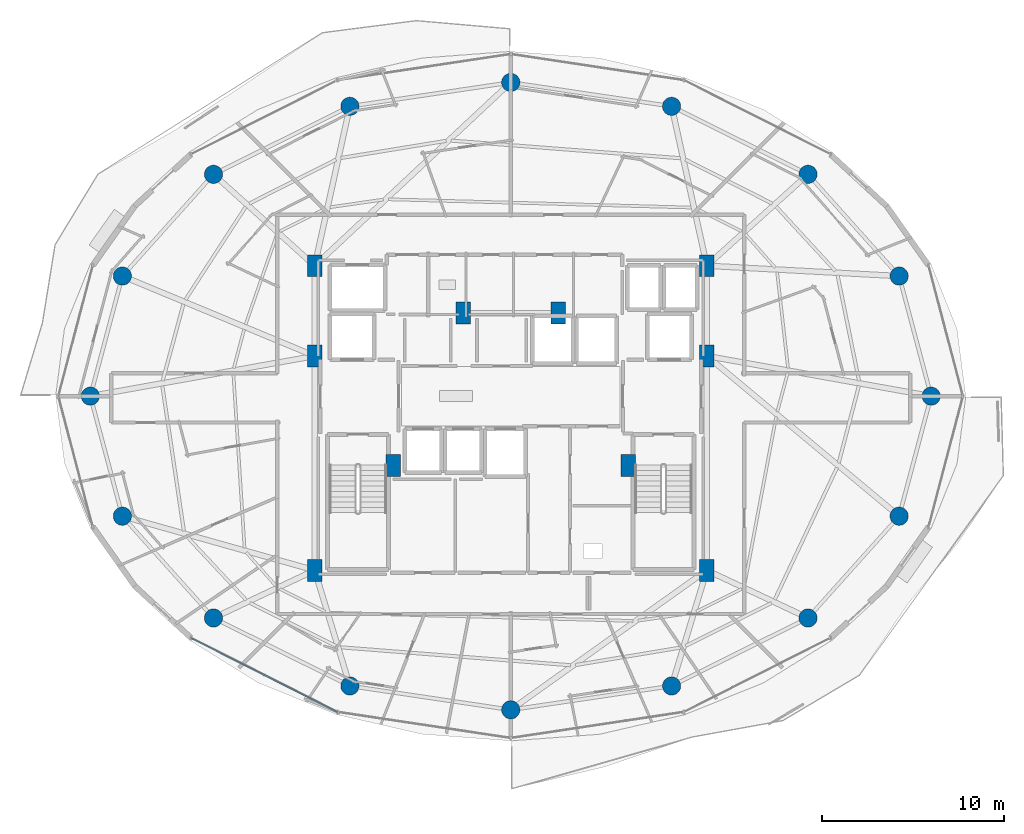
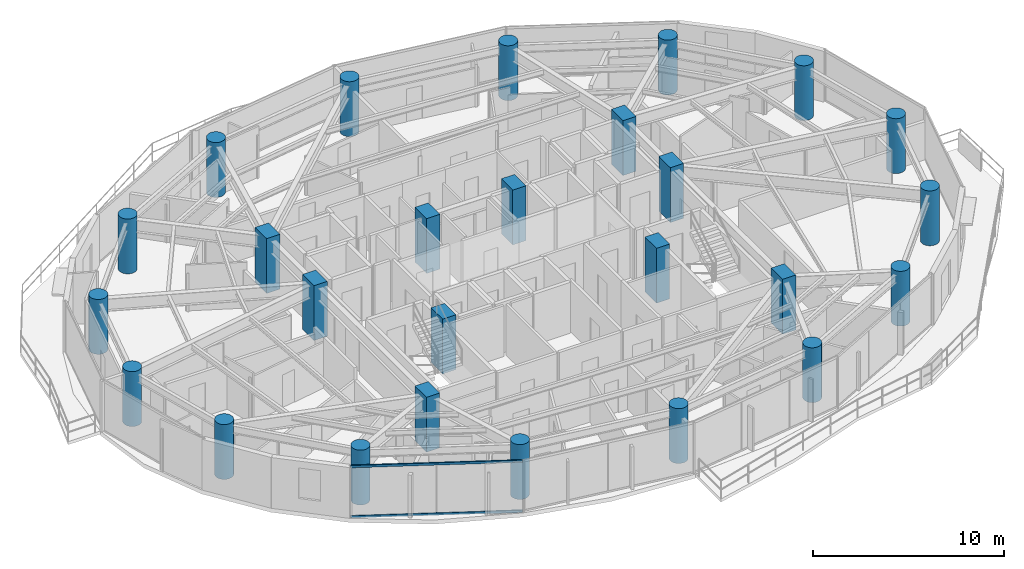
# One storey, part 1 of 31: 26 columns, 2 members, 1 element without a shape of its own.
"""IFC4 building model written with IfcOpenShell, lengths in metres."""

from ifc_helpers import new_model, si_unit, direction, frame, origin, origin_2d, place, context, subcontext, project, spatial, rectangle, hollow_rectangle, circle, extrude, material, material_profile, profile_set, type_object, element, aggregate, save


model = new_model("IFC4")

# Units and contexts
model_context = context("Model", 3, precision=1e-05, world=origin(), true_north=direction((0.0, 1.0)))
body_context = subcontext(model_context, "Body", "Model", "MODEL_VIEW")
ifc_project = project(units=[si_unit("LENGTHUNIT", "METRE"), si_unit("AREAUNIT", "SQUARE_METRE"), si_unit("VOLUMEUNIT", "CUBIC_METRE"), si_unit("PLANEANGLEUNIT", "RADIAN"), si_unit("MASSUNIT", "GRAM", prefix="KILO")], contexts=[model_context])

# Site, building, storey
site_placement = place(None, origin())
site = spatial("IfcSite", under=ifc_project, at=site_placement, CompositionType="ELEMENT")
building_placement = place(site_placement, origin())
building = spatial("IfcBuilding", under=site, at=building_placement, Name="Vorneva Point Tower", CompositionType="ELEMENT")
storey_placement = place(building_placement, frame((0.0, 0.0, 129.10009765625)))
storey = spatial("IfcBuildingStorey", under=building, at=storey_placement, Name="L34", CompositionType="ELEMENT", Elevation=129.10009765625)

# Columns
ifc_material_1 = material(Name="Concrete B60 (C50/60)", Category="concrete")
ifc_material_profile_1 = material_profile(ifc_material_1, circle(Radius=0.5, at=origin_2d()), Name="RC-CIRC 1000")
ifc_profile_set_1 = profile_set([ifc_material_profile_1], Name="Concrete B60 (C50/60)")
column_type_1 = type_object("IfcColumnType", Name="COL-RC1000C", PredefinedType="COLUMN", material=ifc_profile_set_1)
for number, where, z_axis, x_axis, name in (
    (1, (61.050048828125, 26.0, 0.0), (0.0, 0.0, 1.0), (1.0, 0.0, 0.0), "L34 Perimeter Column P01"),
    (2, (59.29541015625, 32.582275390625, 0.0), (0.0, 0.0, 1.0), (0.923879532511, 0.382683432365, 0.0), "L34 Perimeter Column P02"),
    (3, (54.298828125, 38.162109375, 0.0), (0.0, 0.0, 1.0), (0.707106781187, 0.707106781187, 0.0), "L34 Perimeter Column P03"),
    (4, (46.82080078125, 41.890625, 0.0), (0.0, 0.0, 1.0), (0.382683432365, 0.923879532511, 0.0), "L34 Perimeter Column P04"),
    (5, (38.0, 43.199951171875, 0.0), (0.0, 0.0, 1.0), (0.0, 1.0, 0.0), "L34 Perimeter Column P05"),
    (6, (29.17919921875, 41.890625, 0.0), (0.0, 0.0, 1.0), (-0.382683432365, 0.923879532511, 0.0), "L34 Perimeter Column P06"),
    (7, (21.701171875, 38.162109375, 0.0), (0.0, 0.0, 1.0), (-0.707106781187, 0.707106781187, 0.0), "L34 Perimeter Column P07"),
    (8, (16.70458984375, 32.582275390625, 0.0), (0.0, 0.0, 1.0), (-0.923879532511, 0.382683432365, 0.0), "L34 Perimeter Column P08"),
    (9, (14.949951171875, 26.0, 0.0), (0.0, 0.0, 1.0), (-1.0, 0.0, 0.0), "L34 Perimeter Column P09"),
    (10, (16.70458984375, 19.417724609375, 0.0), (0.0, 0.0, 1.0), (-0.923879532511, -0.382683432365, 0.0), "L34 Perimeter Column P10"),
    (11, (21.701171875, 13.837890625, 0.0), (0.0, 0.0, 1.0), (-0.707106781187, -0.707106781187, 0.0), "L34 Perimeter Column P11"),
    (12, (29.17919921875, 10.109375, 0.0), (0.0, 0.0, 1.0), (-0.382683432365, -0.923879532511, 0.0), "L34 Perimeter Column P12"),
    (13, (38.0, 8.800048828125, 0.0), (0.0, 0.0, 1.0), (0.0, -1.0, 0.0), "L34 Perimeter Column P13"),
    (14, (46.82080078125, 10.109375, 0.0), (0.0, 0.0, 1.0), (0.382683432365, -0.923879532511, 0.0), "L34 Perimeter Column P14"),
    (15, (54.298828125, 13.837890625, 0.0), (0.0, 0.0, 1.0), (0.707106781187, -0.707106781187, 0.0), "L34 Perimeter Column P15"),
    (16, (59.29541015625, 19.417724609375, 0.0), (0.0, 0.0, 1.0), (0.923879532511, -0.382683432365, 0.0), "L34 Perimeter Column P16"),
):
    element("IfcColumn", number, at=place(storey_placement, frame(where, z_axis=z_axis, x_axis=x_axis)), inside=storey, type_object=column_type_1, Name=name, PredefinedType="COLUMN", context=body_context, shape_type="SweptSolid", body=[
        extrude(circle(Radius=0.5, at=origin_2d()), origin(), (0.0, 0.0, 1.0), 3.5),
    ])
ifc_material_profile_2 = material_profile(ifc_material_1, rectangle(XDim=0.800048828125, YDim=1.199951171875, at=origin_2d()), Name="RC-PIL 1200x800")
ifc_profile_set_2 = profile_set([ifc_material_profile_2], Name="Concrete B60 (C50/60)")
column_type_2 = type_object("IfcColumnType", Name="PIL-RC1200x800", PredefinedType="PILASTER", material=ifc_profile_set_2)
for number, where, z_axis, x_axis, name in (
    (17, (27.25, 16.449951171875, 0.0), (0.0, 0.0, 1.0), (1.0, 0.0, 0.0), "L34 Core Pilaster CP1"),
    (18, (27.25, 28.199951171875, 0.0), (0.0, 0.0, 1.0), (1.0, 0.0, 0.0), "L34 Core Pilaster CP2"),
    (19, (27.25, 33.14990234375, 0.0), (0.0, 0.0, 1.0), (1.0, 0.0, 0.0), "L34 Core Pilaster CP3"),
    (20, (31.550048828125, 22.199951171875, 0.0), (0.0, 0.0, 1.0), (1.0, 0.0, 0.0), "L34 Core Pilaster CP4"),
    (21, (48.75, 33.14990234375, 0.0), (0.0, 0.0, 1.0), (1.0, 0.0, 0.0), "L34 Core Pilaster CP5"),
    (22, (48.75, 28.199951171875, 0.0), (0.0, 0.0, 1.0), (1.0, 0.0, 0.0), "L34 Core Pilaster CP6"),
    (23, (48.75, 16.449951171875, 0.0), (0.0, 0.0, 1.0), (1.0, 0.0, 0.0), "L34 Core Pilaster CP7"),
    (24, (44.449951171875, 22.199951171875, 0.0), (0.0, 0.0, 1.0), (1.0, 0.0, 0.0), "L34 Core Pilaster CP8"),
    (25, (35.39990234375, 30.550048828125, 0.0), (0.0, 0.0, 1.0), (1.0, 0.0, 0.0), "L34 Core Pilaster CP9"),
    (26, (40.60009765625, 30.550048828125, 0.0), (0.0, 0.0, 1.0), (1.0, 0.0, 0.0), "L34 Core Pilaster CP10"),
):
    element("IfcColumn", number, at=place(storey_placement, frame(where, z_axis=z_axis, x_axis=x_axis)), inside=storey, type_object=column_type_2, Name=name, PredefinedType="PILASTER", context=body_context, shape_type="SweptSolid", body=[
        extrude(rectangle(XDim=0.800048828125, YDim=1.199951171875, at=origin_2d()), origin(), (0.0, 0.0, 1.0), 3.5),
    ])

# Curtain wall, members
ifc_material_2 = material(Name="Pale anodised aluminium", Category="aluminium")
curtain_wall_type = type_object("IfcCurtainWallType", Name="CW-RES-SYS", PredefinedType="NOTDEFINED", material=ifc_material_2)
curtain_wall_placement = place(storey_placement, origin())
curtain_wall = element("IfcCurtainWall", 27, at=curtain_wall_placement, inside=storey, type_object=curtain_wall_type, Name="L34 Unitised Curtain Wall CW-L34-R04", PredefinedType="NOTDEFINED")
ifc_material_profile_3 = material_profile(ifc_material_2, hollow_rectangle(XDim=0.074951171875, YDim=0.14990234375, WallThickness=0.00390625, at=origin_2d()), Name="AL-TRN 150x75x4")
ifc_profile_set_3 = profile_set([ifc_material_profile_3], Name="Pale anodised aluminium")
member_type = type_object("IfcMemberType", Name="CW-TRN-150", PredefinedType="USERDEFINED", material=ifc_profile_set_3)
member_1_placement = place(storey_placement, frame((20.4638671875, 12.74169921875, 0.02001953125), z_axis=(0.892572392955, -0.450904117673, 0.0), x_axis=(0.450904117673, 0.892572392955, 0.0)))
member_1 = element("IfcMember", 28, at=member_1_placement, type_object=member_type, Name="CW-L34-R04 Transom 01.1", ObjectType="TRANSOM", PredefinedType="USERDEFINED", context=body_context, shape_type="SweptSolid", body=[
    extrude(hollow_rectangle(XDim=0.074951171875, YDim=0.14990234375, WallThickness=0.00390625, at=origin_2d()), origin(), (0.0, 0.0, 1.0), 9.013916015625),
])
member_2_placement = place(storey_placement, frame((20.4638671875, 12.74169921875, 3.219970703125), z_axis=(0.892572392955, -0.450904117673, 0.0), x_axis=(0.450904117673, 0.892572392955, 0.0)))
member_2 = element("IfcMember", 29, at=member_2_placement, type_object=member_type, Name="CW-L34-R04 Transom 01.2", ObjectType="TRANSOM", PredefinedType="USERDEFINED", context=body_context, shape_type="SweptSolid", body=[
    extrude(hollow_rectangle(XDim=0.074951171875, YDim=0.14990234375, WallThickness=0.00390625, at=origin_2d()), origin(), (0.0, 0.0, 1.0), 9.013916015625),
])
aggregate(curtain_wall, [member_1, member_2])

save(model, "model.ifc")
